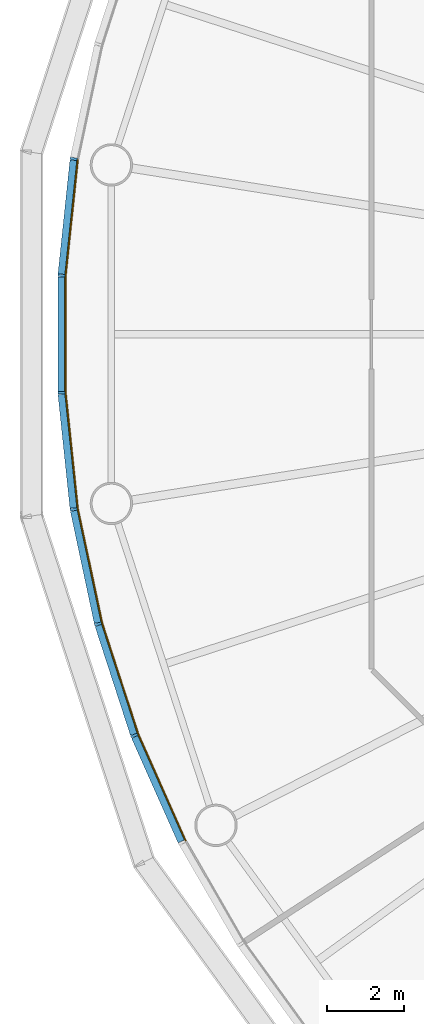
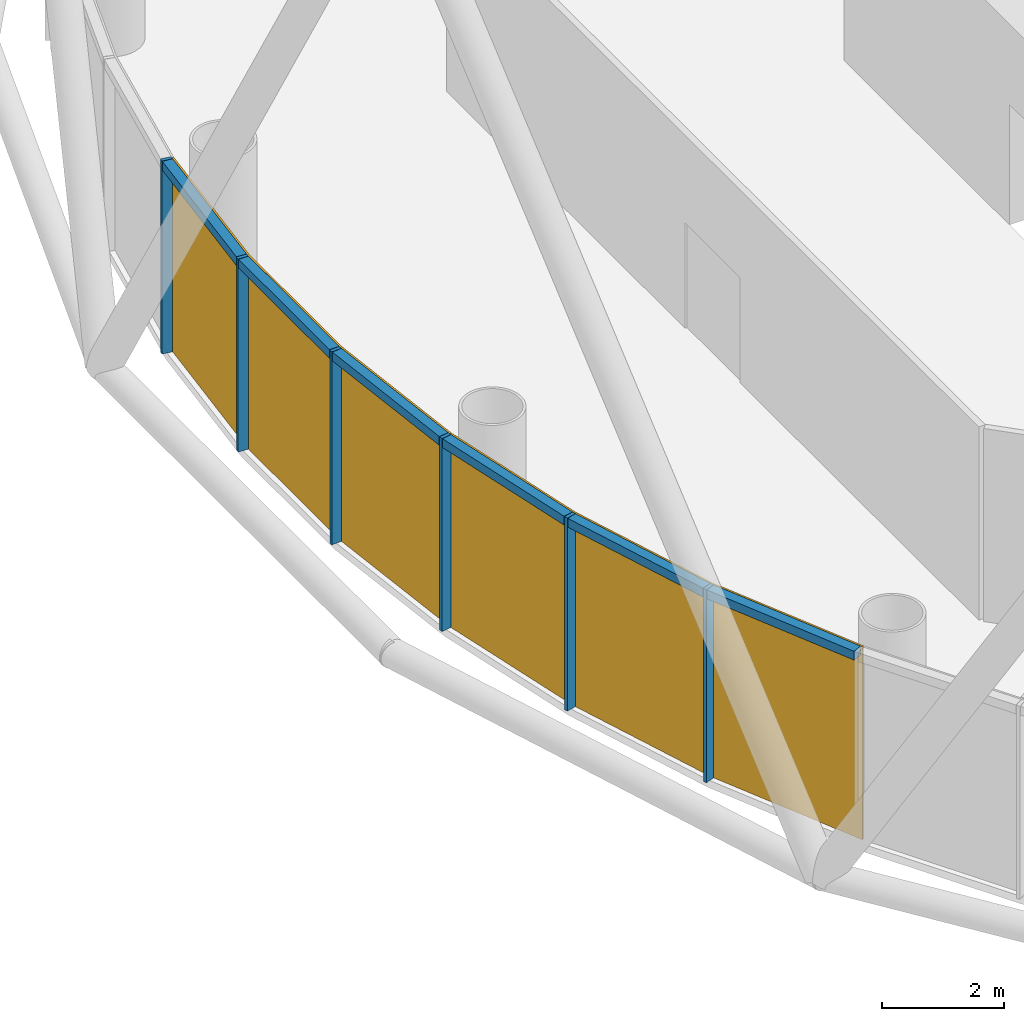
# One storey, part 8 of 13: 12 members, 2 curtain walls.
"""IFC4 building model written with IfcOpenShell, lengths in metres."""

from ifc_helpers import new_model, si_unit, direction, frame, origin, origin_2d, place, context, subcontext, project, spatial, polyline, rectangle, outline, extrude, material, layer, layer_set, material_profile, profile_set, type_object, element, aggregate, save


model = new_model("IFC4")

# Units and contexts
model_context = context("Model", 3, precision=1e-05, world=origin(), true_north=direction((0.0, 1.0)))
body_context = subcontext(model_context, "Body", "Model", "MODEL_VIEW")
ifc_project = project(units=[si_unit("LENGTHUNIT", "METRE"), si_unit("AREAUNIT", "SQUARE_METRE"), si_unit("VOLUMEUNIT", "CUBIC_METRE"), si_unit("PLANEANGLEUNIT", "RADIAN"), si_unit("MASSUNIT", "GRAM", prefix="KILO")], contexts=[model_context])

# Member
ifc_material_1 = material(Name="Anodised aluminium", Category="aluminium")
ifc_material_profile_1 = material_profile(ifc_material_1, rectangle(XDim=0.06494140625, YDim=0.18505859375, at=origin_2d()), Name="Mullion 65 x 185 mm anodised aluminium")
ifc_profile_set_1 = profile_set([ifc_material_profile_1], Name="Anodised aluminium")
member_type_1 = type_object("IfcMemberType", Name="Mullion 65 x 185 mm anodised aluminium", PredefinedType="MULLION", material=ifc_profile_set_1)
site_placement = place(None, origin())
building_placement = place(site_placement, origin())
storey_placement = place(building_placement, frame((0.0, 0.0, 164.0)))
member_1_placement = place(storey_placement, frame((61.265625, 84.551025390625, 0.0), z_axis=(0.0, 0.0, 1.0), x_axis=(-0.15643446504, -0.987688340595, 0.0)))
member_1 = element("IfcMember", 1, at=member_1_placement, type_object=member_type_1, Name="MULLION L37-27", PredefinedType="MULLION", context=body_context, shape_type="SweptSolid", body=[
    extrude(rectangle(XDim=0.06494140625, YDim=0.18505859375, at=origin_2d()), origin(), (0.0, 0.0, 1.0), 3.85009765625),
])

member_2_placement = place(storey_placement, frame((60.947265625, 81.522705078125, 0.0), z_axis=(0.0, 0.0, 1.0), x_axis=(-0.052335956243, -0.998629534755, 0.0)))
member_2 = element("IfcMember", 2, at=member_2_placement, type_object=member_type_1, Name="MULLION L37-28", PredefinedType="MULLION", context=body_context, shape_type="SweptSolid", body=[
    extrude(rectangle(XDim=0.06494140625, YDim=0.18505859375, at=origin_2d()), origin(), (0.0, 0.0, 1.0), 3.85009765625),
])

member_3_placement = place(storey_placement, frame((60.947265625, 78.477294921875, 0.0), z_axis=(0.0, 0.0, 1.0), x_axis=(0.052335956243, -0.998629534755, 0.0)))
member_3 = element("IfcMember", 3, at=member_3_placement, type_object=member_type_1, Name="MULLION L37-29", PredefinedType="MULLION", context=body_context, shape_type="SweptSolid", body=[
    extrude(rectangle(XDim=0.06494140625, YDim=0.18505859375, at=origin_2d()), origin(), (0.0, 0.0, 1.0), 3.85009765625),
])

member_4_placement = place(storey_placement, frame((61.265625, 75.448974609375, 0.0), z_axis=(0.0, 0.0, 1.0), x_axis=(0.15643446504, -0.987688340595, 0.0)))
member_4 = element("IfcMember", 4, at=member_4_placement, type_object=member_type_1, Name="MULLION L37-30", PredefinedType="MULLION", context=body_context, shape_type="SweptSolid", body=[
    extrude(rectangle(XDim=0.06494140625, YDim=0.18505859375, at=origin_2d()), origin(), (0.0, 0.0, 1.0), 3.85009765625),
])

member_5_placement = place(storey_placement, frame((61.898681640625, 72.47021484375, 0.0), z_axis=(0.0, 0.0, 1.0), x_axis=(0.258819045103, -0.965925826289, 0.0)))
member_5 = element("IfcMember", 5, at=member_5_placement, type_object=member_type_1, Name="MULLION L37-31", PredefinedType="MULLION", context=body_context, shape_type="SweptSolid", body=[
    extrude(rectangle(XDim=0.06494140625, YDim=0.18505859375, at=origin_2d()), origin(), (0.0, 0.0, 1.0), 3.85009765625),
])

member_6_placement = place(storey_placement, frame((62.83984375, 69.57421875, 0.0), z_axis=(0.0, 0.0, 1.0), x_axis=(0.358367949545, -0.933580426497, 0.0)))
member_6 = element("IfcMember", 6, at=member_6_placement, type_object=member_type_1, Name="MULLION L37-32", PredefinedType="MULLION", context=body_context, shape_type="SweptSolid", body=[
    extrude(rectangle(XDim=0.06494140625, YDim=0.18505859375, at=origin_2d()), origin(), (0.0, 0.0, 1.0), 3.85009765625),
])

ifc_material_2 = material(Name="Anodised aluminium", Category="aluminium")
ifc_material_profile_2 = material_profile(ifc_material_2, rectangle(XDim=0.18505859375, YDim=0.175048828125, at=origin_2d()), Name="Transom 175 x 185 mm anodised aluminium")
ifc_profile_set_2 = profile_set([ifc_material_profile_2], Name="Anodised aluminium")
member_type_2 = type_object("IfcMemberType", Name="Transom 175 x 185 mm anodised aluminium", PredefinedType="USERDEFINED", material=ifc_profile_set_2)
member_7_placement = place(storey_placement, frame((61.26171875, 84.513916015625, 3.762451171875), z_axis=(-0.104547872381, -0.994519855197, 0.0), x_axis=(0.994519855197, -0.104547872381, 0.0)))
member_7 = element("IfcMember", 7, at=member_7_placement, type_object=member_type_2, Name="TRANSOM L37-27", ObjectType="TRANSOM", PredefinedType="USERDEFINED", context=body_context, shape_type="SweptSolid", body=[
    extrude(rectangle(XDim=0.18505859375, YDim=0.175048828125, at=origin_2d()), origin(), (0.0, 0.0, 1.0), 2.970458984375),
])

member_8_placement = place(storey_placement, frame((60.947265625, 81.4853515625, 3.762451171875), z_axis=(0.0, -1.0, 0.0), x_axis=(1.0, 0.0, 0.0)))
member_8 = element("IfcMember", 8, at=member_8_placement, type_object=member_type_2, Name="TRANSOM L37-28", ObjectType="TRANSOM", PredefinedType="USERDEFINED", context=body_context, shape_type="SweptSolid", body=[
    extrude(rectangle(XDim=0.18505859375, YDim=0.175048828125, at=origin_2d()), origin(), (0.0, 0.0, 1.0), 2.970703125),
])

member_9_placement = place(storey_placement, frame((60.951171875, 78.440185546875, 3.762451171875), z_axis=(0.104547872381, -0.994519855197, 0.0), x_axis=(0.994519855197, 0.104547872381, 0.0)))
member_9 = element("IfcMember", 9, at=member_9_placement, type_object=member_type_2, Name="TRANSOM L37-29", ObjectType="TRANSOM", PredefinedType="USERDEFINED", context=body_context, shape_type="SweptSolid", body=[
    extrude(rectangle(XDim=0.18505859375, YDim=0.175048828125, at=origin_2d()), origin(), (0.0, 0.0, 1.0), 2.970458984375),
])

member_10_placement = place(storey_placement, frame((61.2734375, 75.412353515625, 3.762451171875), z_axis=(0.207861704825, -0.97815822425, 0.0), x_axis=(0.97815822425, 0.207861704825, 0.0)))
member_10 = element("IfcMember", 10, at=member_10_placement, type_object=member_type_2, Name="TRANSOM L37-30", ObjectType="TRANSOM", PredefinedType="USERDEFINED", context=body_context, shape_type="SweptSolid", body=[
    extrude(rectangle(XDim=0.18505859375, YDim=0.175048828125, at=origin_2d()), origin(), (0.0, 0.0, 1.0), 2.970458984375),
])

member_11_placement = place(storey_placement, frame((61.91015625, 72.434814453125, 3.762451171875), z_axis=(0.30901917063, -0.951055809184, 0.0), x_axis=(0.951055809184, 0.30901917063, 0.0)))
member_11 = element("IfcMember", 11, at=member_11_placement, type_object=member_type_2, Name="TRANSOM L37-31", ObjectType="TRANSOM", PredefinedType="USERDEFINED", context=body_context, shape_type="SweptSolid", body=[
    extrude(rectangle(XDim=0.18505859375, YDim=0.175048828125, at=origin_2d()), origin(), (0.0, 0.0, 1.0), 2.970703125),
])

member_12_placement = place(storey_placement, frame((62.85498046875, 69.5400390625, 3.762451171875), z_axis=(0.406687471156, -0.913567348806, 0.0), x_axis=(0.913567348806, 0.406687471156, 0.0)))
member_12 = element("IfcMember", 12, at=member_12_placement, type_object=member_type_2, Name="TRANSOM L37-32", ObjectType="TRANSOM", PredefinedType="USERDEFINED", context=body_context, shape_type="SweptSolid", body=[
    extrude(rectangle(XDim=0.18505859375, YDim=0.175048828125, at=origin_2d()), origin(), (0.0, 0.0, 1.0), 2.970458984375),
])

# Site, building, storey
site = spatial("IfcSite", under=ifc_project, at=site_placement, CompositionType="ELEMENT")
building = spatial("IfcBuilding", under=site, at=building_placement, Name="Entoto Ring Tower", CompositionType="ELEMENT")
storey = spatial("IfcBuildingStorey", under=building, at=storey_placement, Name="L37", CompositionType="ELEMENT", Elevation=164.0)

# Curtain wall
ifc_material_3 = material(Name="Clear low-iron glass", Category="glass")
ifc_layer = layer(ifc_material_3, 0.033935546875)
ifc_layer_set = layer_set([ifc_layer], Name="Clear low-iron glass")
curtain_wall_type = type_object("IfcCurtainWallType", Name="Curtain wall system CW3 glazing 34 mm", PredefinedType="NOTDEFINED", material=ifc_layer_set)
curtain_wall_1_placement = place(storey_placement, origin())
curtain_wall_1 = element("IfcCurtainWall", 13, at=curtain_wall_1_placement, inside=storey, type_object=curtain_wall_type, Name="CW3 L37-10", PredefinedType="NOTDEFINED", context=body_context, shape_type="SweptSolid", body=[
    extrude(outline(polyline([(61.35693359375, 84.53662109375), (61.039794921875, 81.517822265625), (61.039794921875, 78.482177734375), (61.35693359375, 75.46337890625), (61.390625, 75.46875), (61.07373046875, 78.484130859375), (61.07373046875, 81.515869140625), (61.390625, 84.53125), (61.35693359375, 84.53662109375)])), origin(), (0.0, 0.0, 1.0), 3.85009765625),
])

aggregate(curtain_wall_1, [member_1, member_2, member_3, member_7, member_8, member_9])

curtain_wall_2_placement = place(storey_placement, origin())
curtain_wall_2 = element("IfcCurtainWall", 14, at=curtain_wall_2_placement, inside=storey, type_object=curtain_wall_type, Name="CW3 L37-11", PredefinedType="NOTDEFINED", context=body_context, shape_type="SweptSolid", body=[
    extrude(outline(polyline([(61.35693359375, 75.46337890625), (61.988037109375, 72.494140625), (62.92626953125, 69.607421875), (64.160888671875, 66.834228515625), (64.191162109375, 66.849853515625), (62.9580078125, 69.61962890625), (62.02099609375, 72.503173828125), (61.390625, 75.46875), (61.35693359375, 75.46337890625)])), origin(), (0.0, 0.0, 1.0), 3.85009765625),
])

aggregate(curtain_wall_2, [member_4, member_5, member_6, member_10, member_11, member_12])

save(model, "model.ifc")
